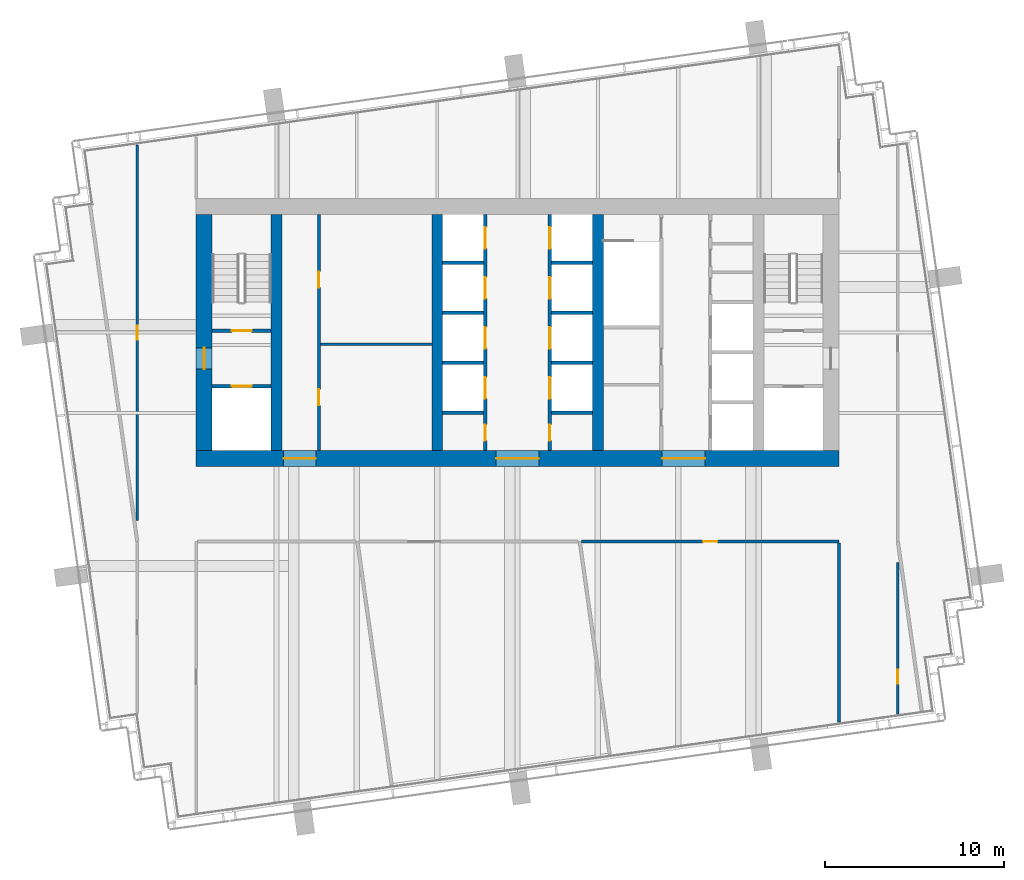
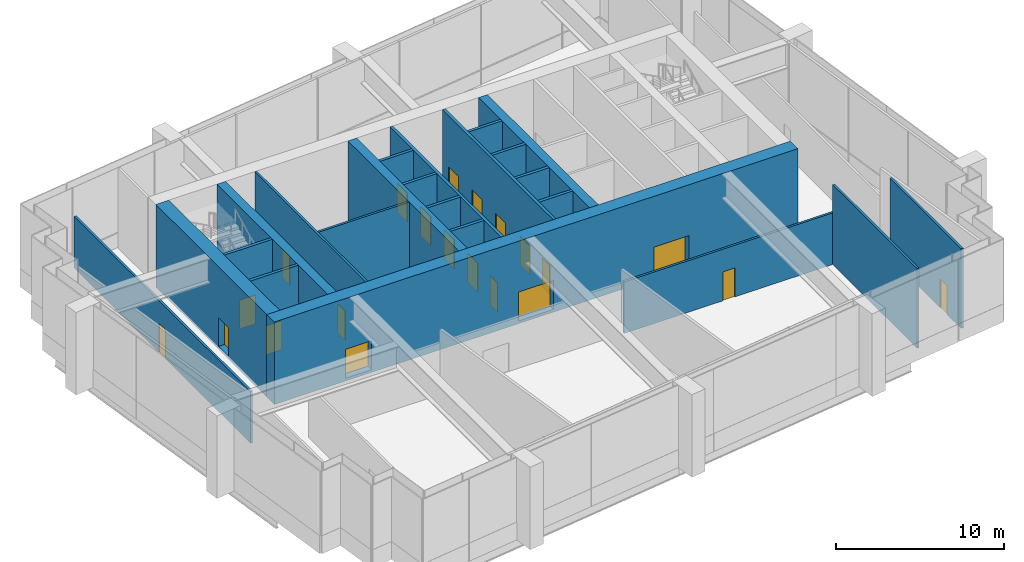
# One storey, part 19 of 25: 23 walls, 21 doors, 21 openings.
"""IFC4 building model written with IfcOpenShell, lengths in metres."""

from ifc_helpers import new_model, si_unit, direction, frame, frame_2d, origin, place, context, subcontext, project, spatial, rectangle, extrude, material, layer, layer_set, type_object, element, fill, save


model = new_model("IFC4")

# Units and contexts
model_context = context("Model", 3, precision=1e-05, world=origin(), true_north=direction((0.0, 1.0)))
body_context = subcontext(model_context, "Body", "Model", "MODEL_VIEW")
ifc_project = project(units=[si_unit("LENGTHUNIT", "METRE"), si_unit("AREAUNIT", "SQUARE_METRE"), si_unit("VOLUMEUNIT", "CUBIC_METRE"), si_unit("PLANEANGLEUNIT", "RADIAN"), si_unit("MASSUNIT", "GRAM", prefix="KILO")], contexts=[model_context])

# Site, building, storey
site_placement = place(None, origin())
site = spatial("IfcSite", under=ifc_project, at=site_placement, CompositionType="ELEMENT")
building_placement = place(site_placement, origin())
building = spatial("IfcBuilding", under=site, at=building_placement, Name="Rattan Terrace Tower", CompositionType="ELEMENT")
storey_placement = place(building_placement, frame((0.0, 0.0, 286.300048828125)))
storey = spatial("IfcBuildingStorey", under=building, at=storey_placement, Name="L66", CompositionType="ELEMENT", Elevation=286.300048828125)

# Wall, openings, doors
ifc_material_1 = material(Name="Gypsum board partition")
ifc_layer_1 = layer(ifc_material_1, 0.14990234375)
ifc_layer_set_1 = layer_set([ifc_layer_1], Name="Core partition 150")
wall_type_1 = type_object("IfcWallType", Name="Core partition 150", PredefinedType="PARTITIONING", material=ifc_layer_set_1)
wall_1_placement = place(storey_placement, frame((-11.125, -6.60009765625, 0.0), z_axis=(0.0, 0.0, 1.0), x_axis=(0.0, 1.0, 0.0)))
wall_1 = element("IfcWall", 1, at=wall_1_placement, inside=storey, type_object=wall_type_1, Name="Core room wall", PredefinedType="PARTITIONING", context=body_context, shape_type="SweptSolid", body=[
    extrude(rectangle(XDim=13.2001953125, YDim=0.14990234375, at=frame_2d((6.60009765625, 0.0))), origin(), (0.0, 0.0, 1.0), 5.800048828125),
])
opening_1_placement = place(wall_1_placement, frame((2.52001953125, 0.0, 0.0)))
opening_1 = element("IfcOpeningElement", 2, at=opening_1_placement, cuts=wall_1, Name="Opening L66-D005", PredefinedType="OPENING", context=body_context, shape_type="SweptSolid", body=[
    extrude(rectangle(XDim=0.89990234375, YDim=2.10009765625, at=frame_2d((0.449951171875, 1.050048828125))), frame((0.0, 0.08544921875, 0.0), z_axis=(0.0, -1.0, 0.0), x_axis=(1.0, 0.0, 0.0)), (0.0, 0.0, 1.0), 0.1708984375),
])
opening_2_placement = place(wall_1_placement, frame((9.1201171875, 0.0, 0.0)))
opening_2 = element("IfcOpeningElement", 3, at=opening_2_placement, cuts=wall_1, Name="Opening L66-D006", PredefinedType="OPENING", context=body_context, shape_type="SweptSolid", body=[
    extrude(rectangle(XDim=0.89990234375, YDim=2.10009765625, at=frame_2d((0.449951171875, 1.050048828125))), frame((0.0, 0.08544921875, 0.0), z_axis=(0.0, -1.0, 0.0), x_axis=(1.0, 0.0, 0.0)), (0.0, 0.0, 1.0), 0.1708984375),
])
ifc_material_2 = material(Name="Hollow-metal fire door leaf")
door_type_1 = type_object("IfcDoorType", Name="Core service room door 900", OperationType="NOTDEFINED", PredefinedType="DOOR", material=ifc_material_2)
door_1_placement = place(opening_1_placement, origin())
door_1 = element("IfcDoor", 4, at=door_1_placement, inside=storey, type_object=door_type_1, Name="Door L66-D005", OperationType="SINGLE_SWING_RIGHT", OverallHeight=2.10009765625, OverallWidth=0.89990234375, PredefinedType="DOOR", context=body_context, shape_type="SweptSolid", body=[
    extrude(rectangle(XDim=0.89990234375, YDim=2.10009765625, at=frame_2d((0.449951171875, 1.050048828125))), frame((0.0, 0.02490234375, 0.0), z_axis=(0.0, -1.0, 0.0), x_axis=(1.0, 0.0, 0.0)), (0.0, 0.0, 1.0), 0.050048828125),
])
fill(opening_1, door_1)
door_2_placement = place(opening_2_placement, origin())
door_2 = element("IfcDoor", 5, at=door_2_placement, inside=storey, type_object=door_type_1, Name="Door L66-D006", OperationType="SINGLE_SWING_LEFT", OverallHeight=2.10009765625, OverallWidth=0.89990234375, PredefinedType="DOOR", context=body_context, shape_type="SweptSolid", body=[
    extrude(rectangle(XDim=0.89990234375, YDim=2.10009765625, at=frame_2d((0.449951171875, 1.050048828125))), frame((0.0, 0.02490234375, 0.0), z_axis=(0.0, -1.0, 0.0), x_axis=(1.0, 0.0, 0.0)), (0.0, 0.0, 1.0), 0.050048828125),
])
fill(opening_2, door_2)

# Wall
wall_2_placement = place(storey_placement, frame((-11.050048828125, -0.659912109375, 0.0), z_axis=(0.0, 0.0, 1.0), x_axis=(1.0, 0.0, 0.0)))
element("IfcWall", 6, at=wall_2_placement, inside=storey, type_object=wall_type_1, Name="Core room wall", PredefinedType="PARTITIONING", context=body_context, shape_type="SweptSolid", body=[
    extrude(rectangle(XDim=6.25, YDim=0.14990234375, at=frame_2d((3.125, 0.0))), origin(), (0.0, 0.0, 1.0), 5.800048828125),
])

# Wall, opening, door
ifc_material_3 = material(Name="Gypsum board partition")
ifc_layer_2 = layer(ifc_material_3, 0.199951171875)
ifc_layer_set_2 = layer_set([ifc_layer_2], Name="Core partition 200")
wall_type_2 = type_object("IfcWallType", Name="Core partition 200", PredefinedType="PARTITIONING", material=ifc_layer_set_2)
wall_3_placement = place(storey_placement, frame((-17.10009765625, -3.0, 0.0), z_axis=(0.0, 0.0, 1.0), x_axis=(1.0, 0.0, 0.0)))
wall_3 = element("IfcWall", 7, at=wall_3_placement, inside=storey, type_object=wall_type_2, Name="Fire-fighting lobby wall", PredefinedType="PARTITIONING", context=body_context, shape_type="SweptSolid", body=[
    extrude(rectangle(XDim=3.300048828125, YDim=0.199951171875, at=frame_2d((1.64990234375, 0.0))), origin(), (0.0, 0.0, 1.0), 5.800048828125),
])
opening_3_placement = place(wall_3_placement, frame((1.10009765625, 0.0, 0.0)))
opening_3 = element("IfcOpeningElement", 8, at=opening_3_placement, cuts=wall_3, Name="Opening L66-LD-FF1", PredefinedType="OPENING", context=body_context, shape_type="SweptSolid", body=[
    extrude(rectangle(XDim=1.10009765625, YDim=2.10009765625, at=frame_2d((0.550048828125, 1.050048828125))), frame((0.0, 0.110595703125, 0.0), z_axis=(0.0, -1.0, 0.0), x_axis=(1.0, 0.0, 0.0)), (0.0, 0.0, 1.0), 0.220947265625),
])
ifc_material_4 = material(Name="Brushed stainless landing door panel")
door_type_2 = type_object("IfcDoorType", Name="Core lift landing door 1100", OperationType="DOUBLE_DOOR_SLIDING", PredefinedType="DOOR", material=ifc_material_4)
door_3_placement = place(opening_3_placement, origin())
door_3 = element("IfcDoor", 9, at=door_3_placement, inside=storey, type_object=door_type_2, Name="Door L66-LD-FF1", OperationType="DOUBLE_DOOR_SLIDING", OverallHeight=2.10009765625, OverallWidth=1.10009765625, PredefinedType="DOOR", context=body_context, shape_type="SweptSolid", body=[
    extrude(rectangle(XDim=1.10009765625, YDim=2.10009765625, at=frame_2d((0.550048828125, 1.050048828125))), frame((0.0, 0.02490234375, 0.0), z_axis=(0.0, -1.0, 0.0), x_axis=(1.0, 0.0, 0.0)), (0.0, 0.0, 1.0), 0.050048828125),
])
fill(opening_3, door_3)

wall_4_placement = place(storey_placement, frame((-17.10009765625, 0.10009765625, 0.0), z_axis=(0.0, 0.0, 1.0), x_axis=(1.0, 0.0, 0.0)))
wall_4 = element("IfcWall", 10, at=wall_4_placement, inside=storey, type_object=wall_type_2, Name="Stair enclosure wall", PredefinedType="PARTITIONING", context=body_context, shape_type="SweptSolid", body=[
    extrude(rectangle(XDim=3.300048828125, YDim=0.199951171875, at=frame_2d((1.64990234375, 0.0))), origin(), (0.0, 0.0, 1.0), 5.800048828125),
])
opening_4_placement = place(wall_4_placement, frame((1.10009765625, 0.0, 0.0)))
opening_4 = element("IfcOpeningElement", 11, at=opening_4_placement, cuts=wall_4, Name="Opening L66-D002", PredefinedType="OPENING", context=body_context, shape_type="SweptSolid", body=[
    extrude(rectangle(XDim=1.10009765625, YDim=2.10009765625, at=frame_2d((0.550048828125, 1.050048828125))), frame((0.0, 0.110595703125, 0.0), z_axis=(0.0, -1.0, 0.0), x_axis=(1.0, 0.0, 0.0)), (0.0, 0.0, 1.0), 0.220947265625),
])
ifc_material_5 = material(Name="Hollow-metal fire door leaf")
door_type_3 = type_object("IfcDoorType", Name="Core stair door 1100", OperationType="NOTDEFINED", PredefinedType="DOOR", material=ifc_material_5)
door_4_placement = place(opening_4_placement, origin())
door_4 = element("IfcDoor", 12, at=door_4_placement, inside=storey, type_object=door_type_3, Name="Door L66-D002", OperationType="SINGLE_SWING_LEFT", OverallHeight=2.10009765625, OverallWidth=1.10009765625, PredefinedType="DOOR", context=body_context, shape_type="SweptSolid", body=[
    extrude(rectangle(XDim=1.10009765625, YDim=2.10009765625, at=frame_2d((0.550048828125, 1.050048828125))), frame((0.0, 0.02490234375, 0.0), z_axis=(0.0, -1.0, 0.0), x_axis=(1.0, 0.0, 0.0)), (0.0, 0.0, 1.0), 0.050048828125),
])
fill(opening_4, door_4)

# Wall, openings, doors
ifc_material_6 = material(Name="Concrete C50/60", Category="concrete")
ifc_layer_3 = layer(ifc_material_6, 0.89990234375)
ifc_layer_set_3 = layer_set([ifc_layer_3], Name="Core ring wall 900 C50/60")
wall_type_3 = type_object("IfcWallType", Name="Core ring wall 900 C50/60", PredefinedType="SHEAR", material=ifc_layer_set_3)
wall_5_placement = place(storey_placement, frame((-18.0, -7.050048828125, -0.199951171875), z_axis=(0.0, 0.0, 1.0), x_axis=(1.0, 0.0, 0.0)))
wall_5 = element("IfcWall", 13, at=wall_5_placement, inside=storey, type_object=wall_type_3, Name="Rear core wall south", PredefinedType="SHEAR", context=body_context, shape_type="SweptSolid", body=[
    extrude(rectangle(XDim=36.0, YDim=0.89990234375, at=frame_2d((18.0, 0.0))), origin(), (0.0, 0.0, 1.0), 6.0),
])
opening_5_placement = place(wall_5_placement, frame((4.89990234375, 0.0, 0.199951171875)))
opening_5 = element("IfcOpeningElement", 14, at=opening_5_placement, cuts=wall_5, Name="Opening L66-D007", PredefinedType="OPENING", context=body_context, shape_type="SweptSolid", body=[
    extrude(rectangle(XDim=1.800048828125, YDim=2.10009765625, at=frame_2d((0.89990234375, 1.050048828125))), frame((0.0, 0.46044921875, 0.0), z_axis=(0.0, -1.0, 0.0), x_axis=(1.0, 0.0, 0.0)), (0.0, 0.0, 1.0), 0.9208984375),
])
opening_6_placement = place(wall_5_placement, frame((16.800048828125, 0.0, 0.199951171875)))
opening_6 = element("IfcOpeningElement", 15, at=opening_6_placement, cuts=wall_5, Name="Opening L66-D010", PredefinedType="OPENING", context=body_context, shape_type="SweptSolid", body=[
    extrude(rectangle(XDim=2.39990234375, YDim=2.10009765625, at=frame_2d((1.199951171875, 1.050048828125))), frame((0.0, 0.46044921875, 0.0), z_axis=(0.0, -1.0, 0.0), x_axis=(1.0, 0.0, 0.0)), (0.0, 0.0, 1.0), 0.9208984375),
])
opening_7_placement = place(wall_5_placement, frame((26.10009765625, 0.0, 0.199951171875)))
opening_7 = element("IfcOpeningElement", 16, at=opening_7_placement, cuts=wall_5, Name="Opening L66-D014", PredefinedType="OPENING", context=body_context, shape_type="SweptSolid", body=[
    extrude(rectangle(XDim=2.39990234375, YDim=2.10009765625, at=frame_2d((1.199951171875, 1.050048828125))), frame((0.0, 0.46044921875, 0.0), z_axis=(0.0, -1.0, 0.0), x_axis=(1.0, 0.0, 0.0)), (0.0, 0.0, 1.0), 0.9208984375),
])
ifc_material_7 = material(Name="Hollow-metal fire door leaf")
door_type_4 = type_object("IfcDoorType", Name="Core lift lobby door 2400", OperationType="NOTDEFINED", PredefinedType="DOOR", material=ifc_material_7)
door_5_placement = place(opening_6_placement, origin())
door_5 = element("IfcDoor", 17, at=door_5_placement, inside=storey, type_object=door_type_4, Name="Door L66-D010", OperationType="DOUBLE_DOOR_DOUBLE_SWING", OverallHeight=2.10009765625, OverallWidth=2.39990234375, PredefinedType="DOOR", context=body_context, shape_type="SweptSolid", body=[
    extrude(rectangle(XDim=2.39990234375, YDim=2.10009765625, at=frame_2d((1.199951171875, 1.050048828125))), frame((0.0, 0.02490234375, 0.0), z_axis=(0.0, -1.0, 0.0), x_axis=(1.0, 0.0, 0.0)), (0.0, 0.0, 1.0), 0.050048828125),
])
fill(opening_6, door_5)
door_6_placement = place(opening_7_placement, origin())
door_6 = element("IfcDoor", 18, at=door_6_placement, inside=storey, type_object=door_type_4, Name="Door L66-D014", OperationType="DOUBLE_DOOR_DOUBLE_SWING", OverallHeight=2.10009765625, OverallWidth=2.39990234375, PredefinedType="DOOR", context=body_context, shape_type="SweptSolid", body=[
    extrude(rectangle(XDim=2.39990234375, YDim=2.10009765625, at=frame_2d((1.199951171875, 1.050048828125))), frame((0.0, 0.02490234375, 0.0), z_axis=(0.0, -1.0, 0.0), x_axis=(1.0, 0.0, 0.0)), (0.0, 0.0, 1.0), 0.050048828125),
])
fill(opening_7, door_6)
ifc_material_8 = material(Name="Hollow-metal fire door leaf")
door_type_5 = type_object("IfcDoorType", Name="Core service room door 1800", OperationType="NOTDEFINED", PredefinedType="DOOR", material=ifc_material_8)
door_7_placement = place(opening_5_placement, origin())
door_7 = element("IfcDoor", 19, at=door_7_placement, inside=storey, type_object=door_type_5, Name="Door L66-D007", OperationType="SINGLE_SWING_RIGHT", OverallHeight=2.10009765625, OverallWidth=1.800048828125, PredefinedType="DOOR", context=body_context, shape_type="SweptSolid", body=[
    extrude(rectangle(XDim=1.800048828125, YDim=2.10009765625, at=frame_2d((0.89990234375, 1.050048828125))), frame((0.0, 0.02490234375, 0.0), z_axis=(0.0, -1.0, 0.0), x_axis=(1.0, 0.0, 0.0)), (0.0, 0.0, 1.0), 0.050048828125),
])
fill(opening_5, door_7)

# Wall, opening, door
wall_6_placement = place(storey_placement, frame((-17.550048828125, -6.60009765625, -0.199951171875), z_axis=(0.0, 0.0, 1.0), x_axis=(0.0, 1.0, 0.0)))
wall_6 = element("IfcWall", 20, at=wall_6_placement, inside=storey, type_object=wall_type_3, Name="Rear core wall west", PredefinedType="SHEAR", context=body_context, shape_type="SweptSolid", body=[
    extrude(rectangle(XDim=13.2001953125, YDim=0.89990234375, at=frame_2d((6.60009765625, 0.0))), origin(), (0.0, 0.0, 1.0), 6.0),
])
opening_8_placement = place(wall_6_placement, frame((4.550048828125, 0.0, 0.199951171875)))
opening_8 = element("IfcOpeningElement", 21, at=opening_8_placement, cuts=wall_6, Name="Opening L66-D001", PredefinedType="OPENING", context=body_context, shape_type="SweptSolid", body=[
    extrude(rectangle(XDim=1.199951171875, YDim=2.10009765625, at=frame_2d((0.60009765625, 1.050048828125))), frame((0.0, 0.46044921875, 0.0), z_axis=(0.0, -1.0, 0.0), x_axis=(1.0, 0.0, 0.0)), (0.0, 0.0, 1.0), 0.9208984375),
])
ifc_material_9 = material(Name="Hollow-metal fire door leaf")
door_type_6 = type_object("IfcDoorType", Name="Core fire-fighting lobby door 1200", OperationType="NOTDEFINED", PredefinedType="DOOR", material=ifc_material_9)
door_8_placement = place(opening_8_placement, origin())
door_8 = element("IfcDoor", 22, at=door_8_placement, inside=storey, type_object=door_type_6, Name="Door L66-D001", OperationType="SINGLE_SWING_RIGHT", OverallHeight=2.10009765625, OverallWidth=1.199951171875, PredefinedType="DOOR", context=body_context, shape_type="SweptSolid", body=[
    extrude(rectangle(XDim=1.199951171875, YDim=2.10009765625, at=frame_2d((0.60009765625, 1.050048828125))), frame((0.0, 0.02490234375, 0.0), z_axis=(0.0, -1.0, 0.0), x_axis=(1.0, 0.0, 0.0)), (0.0, 0.0, 1.0), 0.050048828125),
])
fill(opening_8, door_8)

# Walls
ifc_material_10 = material(Name="Concrete C50/60", Category="concrete")
ifc_layer_4 = layer(ifc_material_10, 0.60009765625)
ifc_layer_set_4 = layer_set([ifc_layer_4], Name="Core spine wall 600 C50/60")
wall_type_4 = type_object("IfcWallType", Name="Core spine wall 600 C50/60", PredefinedType="SHEAR", material=ifc_layer_set_4)
for number, where, z_axis, x_axis, name in (
    (23, (-13.5, -6.60009765625, -0.199951171875), (0.0, 0.0, 1.0), (0.0, 1.0, 0.0), "Core spine wall 1"),
    (24, (-4.5, -6.60009765625, -0.199951171875), (0.0, 0.0, 1.0), (0.0, 1.0, 0.0), "Core spine wall 2"),
    (25, (4.5, -6.60009765625, -0.199951171875), (0.0, 0.0, 1.0), (0.0, 1.0, 0.0), "Core spine wall 3"),
):
    element("IfcWall", number, at=place(storey_placement, frame(where, z_axis=z_axis, x_axis=x_axis)), inside=storey, type_object=wall_type_4, Name=name, PredefinedType="SHEAR", context=body_context, shape_type="SweptSolid", body=[
        extrude(rectangle(XDim=13.2001953125, YDim=0.60009765625, at=frame_2d((6.60009765625, 0.0))), origin(), (0.0, 0.0, 1.0), 6.0),
    ])

# Wall, opening, door
ifc_material_11 = material(Name="Gypsum board partition on steel studs, fire rated", Category="steel")
ifc_layer_5 = layer(ifc_material_11, 0.14990234375)
ifc_layer_set_5 = layer_set([ifc_layer_5], Name="Floors Tenancy Wall 150")
wall_type_5 = type_object("IfcWallType", Name="Floors Tenancy Wall 150", PredefinedType="PARTITIONING", material=ifc_layer_set_5)
wall_7_placement = place(storey_placement, frame((18.0, -11.699951171875, 0.0), z_axis=(0.0, 0.0, 1.0), x_axis=(-1.0, 0.0, 0.0)))
wall_7 = element("IfcWall", 26, at=wall_7_placement, inside=storey, type_object=wall_type_5, Name="pt-L66-004", PredefinedType="PARTITIONING", context=body_context, shape_type="SweptSolid", body=[
    extrude(rectangle(XDim=14.4140625, YDim=0.14990234375, at=frame_2d((7.20703125, 0.0))), origin(), (0.0, 0.0, 1.0), 3.75),
])
opening_9_placement = place(wall_7_placement, frame((6.806884765625, 0.0, 0.0)))
opening_9 = element("IfcOpeningElement", 27, at=opening_9_placement, cuts=wall_7, Name="Opening L66-D102", PredefinedType="OPENING", context=body_context, shape_type="SweptSolid", body=[
    extrude(rectangle(XDim=0.800048828125, YDim=2.10009765625, at=frame_2d((0.39990234375, 1.050048828125))), frame((0.0, 0.08544921875, 0.0), z_axis=(0.0, -1.0, 0.0), x_axis=(1.0, 0.0, 0.0)), (0.0, 0.0, 1.0), 0.1708984375),
])
ifc_material_12 = material(Name="Steel fire door set", Category="steel")
door_type_7 = type_object("IfcDoorType", Name="Floors Store Door FD30S 800x2100", OperationType="NOTDEFINED", PredefinedType="DOOR", material=ifc_material_12)
door_9_placement = place(opening_9_placement, origin())
door_9 = element("IfcDoor", 28, at=door_9_placement, inside=storey, type_object=door_type_7, Name="d-L66-102", OperationType="SINGLE_SWING_LEFT", OverallHeight=2.10009765625, OverallWidth=0.800048828125, PredefinedType="DOOR", context=body_context, shape_type="SweptSolid", body=[
    extrude(rectangle(XDim=0.800048828125, YDim=2.10009765625, at=frame_2d((0.39990234375, 1.050048828125))), frame((0.0, 0.02490234375, 0.0), z_axis=(0.0, -1.0, 0.0), x_axis=(1.0, 0.0, 0.0)), (0.0, 0.0, 1.0), 0.050048828125),
])
fill(opening_9, door_9)

# Wall
wall_8_placement = place(storey_placement, frame((18.0, -21.822998046875, 0.0), z_axis=(0.0, 0.0, 1.0), x_axis=(0.0, 1.0, 0.0)))
element("IfcWall", 29, at=wall_8_placement, inside=storey, type_object=wall_type_5, Name="pt-L66-005", PredefinedType="PARTITIONING", context=body_context, shape_type="SweptSolid", body=[
    extrude(rectangle(XDim=10.048095703125, YDim=0.14990234375, at=frame_2d((5.02392578125, 0.0))), origin(), (0.0, 0.0, 1.0), 5.800048828125),
])

# Wall, opening, door
wall_9_placement = place(storey_placement, frame((-21.299072265625, -10.52099609375, 0.0), z_axis=(0.0, 0.0, 1.0), x_axis=(0.0, 1.0, 0.0)))
wall_9 = element("IfcWall", 30, at=wall_9_placement, inside=storey, type_object=wall_type_5, Name="pt-L66-010", PredefinedType="PARTITIONING", context=body_context, shape_type="SweptSolid", body=[
    extrude(rectangle(XDim=21.02001953125, YDim=0.14990234375, at=frame_2d((10.510009765625, 0.0))), origin(), (0.0, 0.0, 1.0), 3.75),
])
opening_10_placement = place(wall_9_placement, frame((10.110107421875, 0.0, 0.0)))
opening_10 = element("IfcOpeningElement", 31, at=opening_10_placement, cuts=wall_9, Name="Opening L66-D106", PredefinedType="OPENING", context=body_context, shape_type="SweptSolid", body=[
    extrude(rectangle(XDim=0.800048828125, YDim=2.10009765625, at=frame_2d((0.39990234375, 1.050048828125))), frame((0.0, 0.08544921875, 0.0), z_axis=(0.0, -1.0, 0.0), x_axis=(1.0, 0.0, 0.0)), (0.0, 0.0, 1.0), 0.1708984375),
])
door_10_placement = place(opening_10_placement, origin())
door_10 = element("IfcDoor", 32, at=door_10_placement, inside=storey, type_object=door_type_7, Name="d-L66-106", OperationType="SINGLE_SWING_LEFT", OverallHeight=2.10009765625, OverallWidth=0.800048828125, PredefinedType="DOOR", context=body_context, shape_type="SweptSolid", body=[
    extrude(rectangle(XDim=0.800048828125, YDim=2.10009765625, at=frame_2d((0.39990234375, 1.050048828125))), frame((0.0, 0.02490234375, 0.0), z_axis=(0.0, -1.0, 0.0), x_axis=(1.0, 0.0, 0.0)), (0.0, 0.0, 1.0), 0.050048828125),
])
fill(opening_10, door_10)

wall_10_placement = place(storey_placement, frame((21.298095703125, -12.8720703125, 0.0), z_axis=(0.0, 0.0, 1.0), x_axis=(0.0, -1.0, 0.0)))
wall_10 = element("IfcWall", 33, at=wall_10_placement, inside=storey, type_object=wall_type_5, Name="pt-L66-011", PredefinedType="PARTITIONING", context=body_context, shape_type="SweptSolid", body=[
    extrude(rectangle(XDim=8.48681640625, YDim=0.14990234375, at=frame_2d((4.243408203125, 0.0))), origin(), (0.0, 0.0, 1.0), 5.800048828125),
])
opening_11_placement = place(wall_10_placement, frame((5.9990234375, 0.0, 0.0)))
opening_11 = element("IfcOpeningElement", 34, at=opening_11_placement, cuts=wall_10, Name="Opening L66-D107", PredefinedType="OPENING", context=body_context, shape_type="SweptSolid", body=[
    extrude(rectangle(XDim=0.800048828125, YDim=2.10009765625, at=frame_2d((0.39990234375, 1.050048828125))), frame((0.0, 0.08544921875, 0.0), z_axis=(0.0, -1.0, 0.0), x_axis=(1.0, 0.0, 0.0)), (0.0, 0.0, 1.0), 0.1708984375),
])
door_11_placement = place(opening_11_placement, origin())
door_11 = element("IfcDoor", 35, at=door_11_placement, inside=storey, type_object=door_type_7, Name="d-L66-107", OperationType="SINGLE_SWING_RIGHT", OverallHeight=2.10009765625, OverallWidth=0.800048828125, PredefinedType="DOOR", context=body_context, shape_type="SweptSolid", body=[
    extrude(rectangle(XDim=0.800048828125, YDim=2.10009765625, at=frame_2d((0.39990234375, 1.050048828125))), frame((0.0, 0.02490234375, 0.0), z_axis=(0.0, -1.0, 0.0), x_axis=(1.0, 0.0, 0.0)), (0.0, 0.0, 1.0), 0.050048828125),
])
fill(opening_11, door_11)

# Wall, openings, doors
ifc_material_13 = material(Name="Gypsum shaft wall system")
ifc_layer_6 = layer(ifc_material_13, 0.199951171875)
ifc_layer_set_6 = layer_set([ifc_layer_6], Name="Lift shaft wall 200")
wall_type_6 = type_object("IfcWallType", Name="Lift shaft wall 200", PredefinedType="PARTITIONING", material=ifc_layer_set_6)
wall_11_placement = place(storey_placement, frame((-1.800048828125, -6.60009765625, 0.0), z_axis=(0.0, 0.0, 1.0), x_axis=(0.0, 1.0, 0.0)))
wall_11 = element("IfcWall", 36, at=wall_11_placement, inside=storey, type_object=wall_type_6, Name="Lift shaft front wall", PredefinedType="PARTITIONING", context=body_context, shape_type="SweptSolid", body=[
    extrude(rectangle(XDim=13.2001953125, YDim=0.199951171875, at=frame_2d((6.60009765625, 0.0))), origin(), (0.0, 0.0, 1.0), 5.800048828125),
])
opening_12_placement = place(wall_11_placement, frame((0.550048828125, 0.0, 0.0)))
opening_12 = element("IfcOpeningElement", 37, at=opening_12_placement, cuts=wall_11, Name="Opening L66-D008", PredefinedType="OPENING", context=body_context, shape_type="SweptSolid", body=[
    extrude(rectangle(XDim=0.89990234375, YDim=2.10009765625, at=frame_2d((0.449951171875, 1.050048828125))), frame((0.0, 0.110595703125, 0.0), z_axis=(0.0, -1.0, 0.0), x_axis=(1.0, 0.0, 0.0)), (0.0, 0.0, 1.0), 0.220947265625),
])
opening_13_placement = place(wall_11_placement, frame((2.89990234375, 0.0, 0.0)))
opening_13 = element("IfcOpeningElement", 38, at=opening_13_placement, cuts=wall_11, Name="Opening L66-LD-HR1", PredefinedType="OPENING", context=body_context, shape_type="SweptSolid", body=[
    extrude(rectangle(XDim=1.199951171875, YDim=2.10009765625, at=frame_2d((0.60009765625, 1.050048828125))), frame((0.0, 0.110595703125, 0.0), z_axis=(0.0, -1.0, 0.0), x_axis=(1.0, 0.0, 0.0)), (0.0, 0.0, 1.0), 0.220947265625),
])
opening_14_placement = place(wall_11_placement, frame((5.699951171875, 0.0, 0.0)))
opening_14 = element("IfcOpeningElement", 39, at=opening_14_placement, cuts=wall_11, Name="Opening L66-LD-HR2", PredefinedType="OPENING", context=body_context, shape_type="SweptSolid", body=[
    extrude(rectangle(XDim=1.199951171875, YDim=2.10009765625, at=frame_2d((0.60009765625, 1.050048828125))), frame((0.0, 0.110595703125, 0.0), z_axis=(0.0, -1.0, 0.0), x_axis=(1.0, 0.0, 0.0)), (0.0, 0.0, 1.0), 0.220947265625),
])
opening_15_placement = place(wall_11_placement, frame((8.5, 0.0, 0.0)))
opening_15 = element("IfcOpeningElement", 40, at=opening_15_placement, cuts=wall_11, Name="Opening L66-LD-HR3", PredefinedType="OPENING", context=body_context, shape_type="SweptSolid", body=[
    extrude(rectangle(XDim=1.199951171875, YDim=2.10009765625, at=frame_2d((0.60009765625, 1.050048828125))), frame((0.0, 0.110595703125, 0.0), z_axis=(0.0, -1.0, 0.0), x_axis=(1.0, 0.0, 0.0)), (0.0, 0.0, 1.0), 0.220947265625),
])
opening_16_placement = place(wall_11_placement, frame((11.300048828125, 0.0, 0.0)))
opening_16 = element("IfcOpeningElement", 41, at=opening_16_placement, cuts=wall_11, Name="Opening L66-LD-HR4", PredefinedType="OPENING", context=body_context, shape_type="SweptSolid", body=[
    extrude(rectangle(XDim=1.199951171875, YDim=2.10009765625, at=frame_2d((0.60009765625, 1.050048828125))), frame((0.0, 0.110595703125, 0.0), z_axis=(0.0, -1.0, 0.0), x_axis=(1.0, 0.0, 0.0)), (0.0, 0.0, 1.0), 0.220947265625),
])
ifc_material_14 = material(Name="Brushed stainless landing door panel")
door_type_8 = type_object("IfcDoorType", Name="Core lift landing door 1200", OperationType="DOUBLE_DOOR_SLIDING", PredefinedType="DOOR", material=ifc_material_14)
door_12_placement = place(opening_13_placement, origin())
door_12 = element("IfcDoor", 42, at=door_12_placement, inside=storey, type_object=door_type_8, Name="Door L66-LD-HR1", OperationType="DOUBLE_DOOR_SLIDING", OverallHeight=2.10009765625, OverallWidth=1.199951171875, PredefinedType="DOOR", context=body_context, shape_type="SweptSolid", body=[
    extrude(rectangle(XDim=1.199951171875, YDim=2.10009765625, at=frame_2d((0.60009765625, 1.050048828125))), frame((0.0, 0.02490234375, 0.0), z_axis=(0.0, -1.0, 0.0), x_axis=(1.0, 0.0, 0.0)), (0.0, 0.0, 1.0), 0.050048828125),
])
fill(opening_13, door_12)
door_13_placement = place(opening_14_placement, origin())
door_13 = element("IfcDoor", 43, at=door_13_placement, inside=storey, type_object=door_type_8, Name="Door L66-LD-HR2", OperationType="DOUBLE_DOOR_SLIDING", OverallHeight=2.10009765625, OverallWidth=1.199951171875, PredefinedType="DOOR", context=body_context, shape_type="SweptSolid", body=[
    extrude(rectangle(XDim=1.199951171875, YDim=2.10009765625, at=frame_2d((0.60009765625, 1.050048828125))), frame((0.0, 0.02490234375, 0.0), z_axis=(0.0, -1.0, 0.0), x_axis=(1.0, 0.0, 0.0)), (0.0, 0.0, 1.0), 0.050048828125),
])
fill(opening_14, door_13)
door_14_placement = place(opening_15_placement, origin())
door_14 = element("IfcDoor", 44, at=door_14_placement, inside=storey, type_object=door_type_8, Name="Door L66-LD-HR3", OperationType="DOUBLE_DOOR_SLIDING", OverallHeight=2.10009765625, OverallWidth=1.199951171875, PredefinedType="DOOR", context=body_context, shape_type="SweptSolid", body=[
    extrude(rectangle(XDim=1.199951171875, YDim=2.10009765625, at=frame_2d((0.60009765625, 1.050048828125))), frame((0.0, 0.02490234375, 0.0), z_axis=(0.0, -1.0, 0.0), x_axis=(1.0, 0.0, 0.0)), (0.0, 0.0, 1.0), 0.050048828125),
])
fill(opening_15, door_14)
door_15_placement = place(opening_16_placement, origin())
door_15 = element("IfcDoor", 45, at=door_15_placement, inside=storey, type_object=door_type_8, Name="Door L66-LD-HR4", OperationType="DOUBLE_DOOR_SLIDING", OverallHeight=2.10009765625, OverallWidth=1.199951171875, PredefinedType="DOOR", context=body_context, shape_type="SweptSolid", body=[
    extrude(rectangle(XDim=1.199951171875, YDim=2.10009765625, at=frame_2d((0.60009765625, 1.050048828125))), frame((0.0, 0.02490234375, 0.0), z_axis=(0.0, -1.0, 0.0), x_axis=(1.0, 0.0, 0.0)), (0.0, 0.0, 1.0), 0.050048828125),
])
fill(opening_16, door_15)
ifc_material_15 = material(Name="Hollow-metal fire door leaf")
door_type_9 = type_object("IfcDoorType", Name="Core riser door 900", OperationType="NOTDEFINED", PredefinedType="DOOR", material=ifc_material_15)
door_16_placement = place(opening_12_placement, origin())
door_16 = element("IfcDoor", 46, at=door_16_placement, inside=storey, type_object=door_type_9, Name="Door L66-D008", OperationType="SINGLE_SWING_LEFT", OverallHeight=2.10009765625, OverallWidth=0.89990234375, PredefinedType="DOOR", context=body_context, shape_type="SweptSolid", body=[
    extrude(rectangle(XDim=0.89990234375, YDim=2.10009765625, at=frame_2d((0.449951171875, 1.050048828125))), frame((0.0, 0.02490234375, 0.0), z_axis=(0.0, -1.0, 0.0), x_axis=(1.0, 0.0, 0.0)), (0.0, 0.0, 1.0), 0.050048828125),
])
fill(opening_12, door_16)

wall_12_placement = place(storey_placement, frame((1.800048828125, -6.60009765625, 0.0), z_axis=(0.0, 0.0, 1.0), x_axis=(0.0, 1.0, 0.0)))
wall_12 = element("IfcWall", 47, at=wall_12_placement, inside=storey, type_object=wall_type_6, Name="Lift shaft front wall", PredefinedType="PARTITIONING", context=body_context, shape_type="SweptSolid", body=[
    extrude(rectangle(XDim=13.2001953125, YDim=0.199951171875, at=frame_2d((6.60009765625, 0.0))), origin(), (0.0, 0.0, 1.0), 5.800048828125),
])
opening_17_placement = place(wall_12_placement, frame((0.550048828125, 0.0, 0.0)))
opening_17 = element("IfcOpeningElement", 48, at=opening_17_placement, cuts=wall_12, Name="Opening L66-D009", PredefinedType="OPENING", context=body_context, shape_type="SweptSolid", body=[
    extrude(rectangle(XDim=0.89990234375, YDim=2.10009765625, at=frame_2d((0.449951171875, 1.050048828125))), frame((0.0, 0.110595703125, 0.0), z_axis=(0.0, -1.0, 0.0), x_axis=(1.0, 0.0, 0.0)), (0.0, 0.0, 1.0), 0.220947265625),
])
opening_18_placement = place(wall_12_placement, frame((2.89990234375, 0.0, 0.0)))
opening_18 = element("IfcOpeningElement", 49, at=opening_18_placement, cuts=wall_12, Name="Opening L66-LD-HR5", PredefinedType="OPENING", context=body_context, shape_type="SweptSolid", body=[
    extrude(rectangle(XDim=1.199951171875, YDim=2.10009765625, at=frame_2d((0.60009765625, 1.050048828125))), frame((0.0, 0.110595703125, 0.0), z_axis=(0.0, -1.0, 0.0), x_axis=(1.0, 0.0, 0.0)), (0.0, 0.0, 1.0), 0.220947265625),
])
opening_19_placement = place(wall_12_placement, frame((5.699951171875, 0.0, 0.0)))
opening_19 = element("IfcOpeningElement", 50, at=opening_19_placement, cuts=wall_12, Name="Opening L66-LD-HR6", PredefinedType="OPENING", context=body_context, shape_type="SweptSolid", body=[
    extrude(rectangle(XDim=1.199951171875, YDim=2.10009765625, at=frame_2d((0.60009765625, 1.050048828125))), frame((0.0, 0.110595703125, 0.0), z_axis=(0.0, -1.0, 0.0), x_axis=(1.0, 0.0, 0.0)), (0.0, 0.0, 1.0), 0.220947265625),
])
opening_20_placement = place(wall_12_placement, frame((8.5, 0.0, 0.0)))
opening_20 = element("IfcOpeningElement", 51, at=opening_20_placement, cuts=wall_12, Name="Opening L66-LD-HR7", PredefinedType="OPENING", context=body_context, shape_type="SweptSolid", body=[
    extrude(rectangle(XDim=1.199951171875, YDim=2.10009765625, at=frame_2d((0.60009765625, 1.050048828125))), frame((0.0, 0.110595703125, 0.0), z_axis=(0.0, -1.0, 0.0), x_axis=(1.0, 0.0, 0.0)), (0.0, 0.0, 1.0), 0.220947265625),
])
opening_21_placement = place(wall_12_placement, frame((11.300048828125, 0.0, 0.0)))
opening_21 = element("IfcOpeningElement", 52, at=opening_21_placement, cuts=wall_12, Name="Opening L66-LD-HR8", PredefinedType="OPENING", context=body_context, shape_type="SweptSolid", body=[
    extrude(rectangle(XDim=1.199951171875, YDim=2.10009765625, at=frame_2d((0.60009765625, 1.050048828125))), frame((0.0, 0.110595703125, 0.0), z_axis=(0.0, -1.0, 0.0), x_axis=(1.0, 0.0, 0.0)), (0.0, 0.0, 1.0), 0.220947265625),
])
door_17_placement = place(opening_18_placement, origin())
door_17 = element("IfcDoor", 53, at=door_17_placement, inside=storey, type_object=door_type_8, Name="Door L66-LD-HR5", OperationType="DOUBLE_DOOR_SLIDING", OverallHeight=2.10009765625, OverallWidth=1.199951171875, PredefinedType="DOOR", context=body_context, shape_type="SweptSolid", body=[
    extrude(rectangle(XDim=1.199951171875, YDim=2.10009765625, at=frame_2d((0.60009765625, 1.050048828125))), frame((0.0, 0.02490234375, 0.0), z_axis=(0.0, -1.0, 0.0), x_axis=(1.0, 0.0, 0.0)), (0.0, 0.0, 1.0), 0.050048828125),
])
fill(opening_18, door_17)
door_18_placement = place(opening_19_placement, origin())
door_18 = element("IfcDoor", 54, at=door_18_placement, inside=storey, type_object=door_type_8, Name="Door L66-LD-HR6", OperationType="DOUBLE_DOOR_SLIDING", OverallHeight=2.10009765625, OverallWidth=1.199951171875, PredefinedType="DOOR", context=body_context, shape_type="SweptSolid", body=[
    extrude(rectangle(XDim=1.199951171875, YDim=2.10009765625, at=frame_2d((0.60009765625, 1.050048828125))), frame((0.0, 0.02490234375, 0.0), z_axis=(0.0, -1.0, 0.0), x_axis=(1.0, 0.0, 0.0)), (0.0, 0.0, 1.0), 0.050048828125),
])
fill(opening_19, door_18)
door_19_placement = place(opening_20_placement, origin())
door_19 = element("IfcDoor", 55, at=door_19_placement, inside=storey, type_object=door_type_8, Name="Door L66-LD-HR7", OperationType="DOUBLE_DOOR_SLIDING", OverallHeight=2.10009765625, OverallWidth=1.199951171875, PredefinedType="DOOR", context=body_context, shape_type="SweptSolid", body=[
    extrude(rectangle(XDim=1.199951171875, YDim=2.10009765625, at=frame_2d((0.60009765625, 1.050048828125))), frame((0.0, 0.02490234375, 0.0), z_axis=(0.0, -1.0, 0.0), x_axis=(1.0, 0.0, 0.0)), (0.0, 0.0, 1.0), 0.050048828125),
])
fill(opening_20, door_19)
door_20_placement = place(opening_21_placement, origin())
door_20 = element("IfcDoor", 56, at=door_20_placement, inside=storey, type_object=door_type_8, Name="Door L66-LD-HR8", OperationType="DOUBLE_DOOR_SLIDING", OverallHeight=2.10009765625, OverallWidth=1.199951171875, PredefinedType="DOOR", context=body_context, shape_type="SweptSolid", body=[
    extrude(rectangle(XDim=1.199951171875, YDim=2.10009765625, at=frame_2d((0.60009765625, 1.050048828125))), frame((0.0, 0.02490234375, 0.0), z_axis=(0.0, -1.0, 0.0), x_axis=(1.0, 0.0, 0.0)), (0.0, 0.0, 1.0), 0.050048828125),
])
fill(opening_21, door_20)
door_21_placement = place(opening_17_placement, origin())
door_21 = element("IfcDoor", 57, at=door_21_placement, inside=storey, type_object=door_type_9, Name="Door L66-D009", OperationType="SINGLE_SWING_RIGHT", OverallHeight=2.10009765625, OverallWidth=0.89990234375, PredefinedType="DOOR", context=body_context, shape_type="SweptSolid", body=[
    extrude(rectangle(XDim=0.89990234375, YDim=2.10009765625, at=frame_2d((0.449951171875, 1.050048828125))), frame((0.0, 0.02490234375, 0.0), z_axis=(0.0, -1.0, 0.0), x_axis=(1.0, 0.0, 0.0)), (0.0, 0.0, 1.0), 0.050048828125),
])
fill(opening_17, door_21)

# Walls
for number, where, z_axis, x_axis, name in (
    (58, (-4.199951171875, -1.699951171875, 0.0), (0.0, 0.0, 1.0), (1.0, 0.0, 0.0), "Lift shaft wall"),
    (59, (-4.199951171875, 1.10009765625, 0.0), (0.0, 0.0, 1.0), (1.0, 0.0, 0.0), "Lift shaft wall"),
    (60, (-4.199951171875, 3.89990234375, 0.0), (0.0, 0.0, 1.0), (1.0, 0.0, 0.0), "Lift shaft wall"),
    (61, (-4.199951171875, -4.5, 0.0), (0.0, 0.0, 1.0), (1.0, 0.0, 0.0), "Lift shaft wall"),
    (62, (1.89990234375, -1.699951171875, 0.0), (0.0, 0.0, 1.0), (1.0, 0.0, 0.0), "Lift shaft wall"),
    (63, (1.89990234375, 1.10009765625, 0.0), (0.0, 0.0, 1.0), (1.0, 0.0, 0.0), "Lift shaft wall"),
    (64, (1.89990234375, 3.89990234375, 0.0), (0.0, 0.0, 1.0), (1.0, 0.0, 0.0), "Lift shaft wall"),
    (65, (1.89990234375, -4.5, 0.0), (0.0, 0.0, 1.0), (1.0, 0.0, 0.0), "Lift shaft wall"),
):
    element("IfcWall", number, at=place(storey_placement, frame(where, z_axis=z_axis, x_axis=x_axis)), inside=storey, type_object=wall_type_6, Name=name, PredefinedType="PARTITIONING", context=body_context, shape_type="SweptSolid", body=[
        extrude(rectangle(XDim=2.300048828125, YDim=0.199951171875, at=frame_2d((1.14990234375, 0.0))), origin(), (0.0, 0.0, 1.0), 5.800048828125),
    ])

save(model, "model.ifc")
